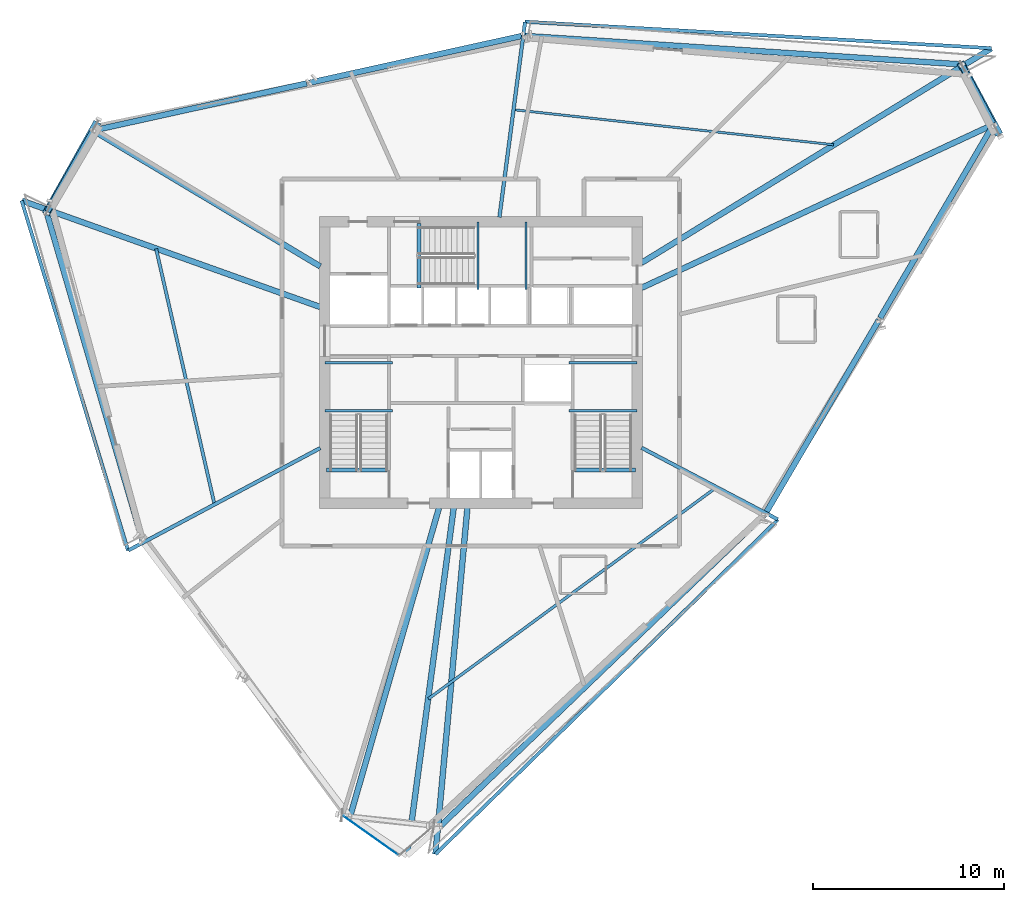
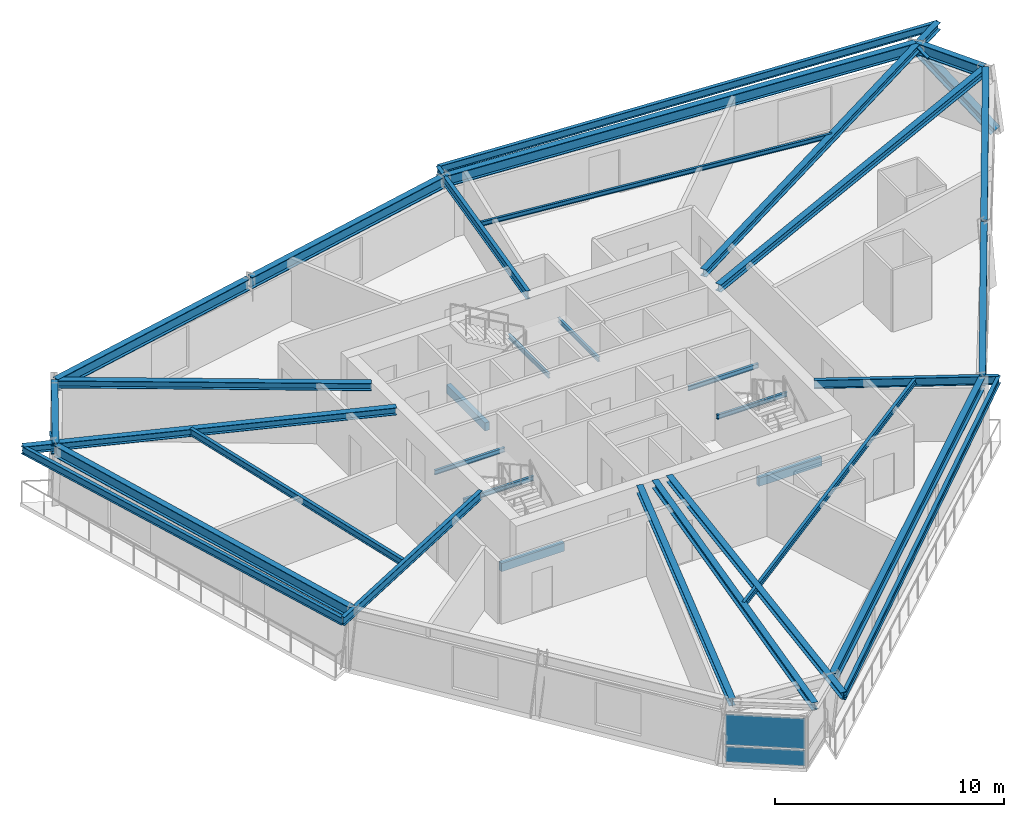
# One storey, part 5 of 15: 34 beams, 2 members, 2 plates, 1 element without a shape of its own.
"""IFC4 building model written with IfcOpenShell, lengths in metres."""

import ifcopenshell
import ifcopenshell.guid

model = None  # the IFC model being written
_history = None  # IfcOwnerHistory: only IFC2X3 demands one
_inside = {}  # id of a spatial element -> (the spatial element, [elements in it])
_under = {}  # id of a project, library or spatial element -> (it, [spatial elements below it])
_declared = {}  # id of a project -> (the project, [libraries it declares])
_typed = {}  # id of a type object -> (the type object, [elements of that type])
_made_of = {}  # id of a material, layer set ... -> (it, [elements and type objects made of it])


def new_model(schema):
    """Start an empty IFC model of exactly this schema.

    Asked for "IFC4X3", IfcOpenShell would pick the latest addendum, in which some entities
    have other attributes; the version numbers below select the first issue.
    IFC2X3 requires an IfcOwnerHistory on every rooted entity: one is made here for all.
    """
    global model, _history
    if schema == "IFC4X3":
        model = ifcopenshell.file(schema_version=(4, 3, 0, 0))
    else:
        model = ifcopenshell.file(schema=schema)
    _inside.clear()
    _under.clear()
    _declared.clear()
    _typed.clear()
    _made_of.clear()
    _history = None
    if model.schema == "IFC2X3":
        org = make("IfcOrganization", Name="unknown")
        user = make(
            "IfcPersonAndOrganization",
            ThePerson=make("IfcPerson", FamilyName="unknown"),
            TheOrganization=org,
        )
        app = make(
            "IfcApplication",
            ApplicationDeveloper=org,
            Version="unknown",
            ApplicationFullName="unknown",
            ApplicationIdentifier="unknown",
        )
        _history = make(
            "IfcOwnerHistory",
            OwningUser=user,
            OwningApplication=app,
            ChangeAction="ADDED",
            CreationDate=0,
        )
    return model


def make(cls, **values):
    """One entity of the class cls with the attributes given. An attribute that is None is left unset."""
    return model.create_entity(
        cls, **{name: value for name, value in values.items() if value is not None}
    )


def rooted(cls, **values):
    """An entity with a GlobalId (a new one), such as an element, a storey or a relation."""
    return make(cls, GlobalId=ifcopenshell.guid.new(), OwnerHistory=_history, **values)


def si_unit(unit_type, name, prefix=None):
    """IfcSIUnit, for example si_unit("LENGTHUNIT", "METRE", prefix="MILLI")."""
    return make("IfcSIUnit", UnitType=unit_type, Prefix=prefix, Name=name)


def assignment(units):
    """IfcUnitAssignment: the units of a project."""
    return None if units is None else make("IfcUnitAssignment", Units=units)


def point(xyz):
    """IfcCartesianPoint."""
    return None if xyz is None else make("IfcCartesianPoint", Coordinates=xyz)


def direction(xyz):
    """IfcDirection."""
    return None if xyz is None else make("IfcDirection", DirectionRatios=xyz)


def frame(location, z_axis=None, x_axis=None):
    """IfcAxis2Placement3D, a coordinate frame: its origin and axes. An axis left out is left unset."""
    return make(
        "IfcAxis2Placement3D",
        Location=point(location),
        Axis=direction(z_axis),
        RefDirection=direction(x_axis),
    )


def frame_2d(location, x_axis=None):
    """IfcAxis2Placement2D, a coordinate frame in the plane: its origin and x axis."""
    return make(
        "IfcAxis2Placement2D", Location=point(location), RefDirection=direction(x_axis)
    )


def origin():
    """The frame at (0, 0, 0) with its axes left unset."""
    return frame((0.0, 0.0, 0.0))


def origin_2d():
    """The frame at (0, 0) in the plane with its x axis left unset."""
    return frame_2d((0.0, 0.0))


def place(relative_to, where):
    """IfcLocalPlacement: puts the frame where relative to a parent placement (None: the world)."""
    return make(
        "IfcLocalPlacement", PlacementRelTo=relative_to, RelativePlacement=where
    )


def context(
    kind, dimensions, precision=None, world=None, true_north=None, identifier=None
):
    """IfcGeometricRepresentationContext, for example the 3D "Model" context."""
    return make(
        "IfcGeometricRepresentationContext",
        ContextIdentifier=identifier,
        ContextType=kind,
        CoordinateSpaceDimension=dimensions,
        Precision=precision,
        WorldCoordinateSystem=world,
        TrueNorth=true_north,
    )


def subcontext(parent, identifier, kind, view, scale=None):
    """IfcGeometricRepresentationSubContext, for example "Body" below "Model"."""
    return make(
        "IfcGeometricRepresentationSubContext",
        ContextIdentifier=identifier,
        ContextType=kind,
        ParentContext=parent,
        TargetScale=scale,
        TargetView=view,
    )


def project(units=None, contexts=None):
    """IfcProject with its units and contexts."""
    return rooted(
        "IfcProject",
        Name="project",
        RepresentationContexts=contexts,
        UnitsInContext=assignment(units),
    )


def spatial(cls, under=None, at=None, **own):
    """A site, building, storey or space (cls), placed at a placement, below another one or the project."""
    s = rooted(cls, ObjectPlacement=at, **own)
    if under is not None:
        _under.setdefault(under.id(), (under, []))[1].append(s)
    return s


def profile(cls, at=None, kind="AREA", **sizes):
    """A parametric profile (cls). Its sizes go by their IFC names, for example OverallWidth=200.0."""
    return make(cls, ProfileType=kind, Position=at, **sizes)


def rectangle(**sizes):
    """IfcRectangleProfileDef."""
    return profile("IfcRectangleProfileDef", **sizes)


def i_section(**sizes):
    """IfcIShapeProfileDef."""
    return profile("IfcIShapeProfileDef", **sizes)


def extrude(swept, where, along, depth):
    """IfcExtrudedAreaSolid: the profile swept, set in the frame where, extruded along a direction by depth."""
    return make(
        "IfcExtrudedAreaSolid",
        SweptArea=swept,
        Position=where,
        ExtrudedDirection=direction(along),
        Depth=depth,
    )


def shape(context_of_items, identifier, shape_type, items):
    """IfcShapeRepresentation: the items that make up one representation, for example the "Body"."""
    return make(
        "IfcShapeRepresentation",
        ContextOfItems=context_of_items,
        RepresentationIdentifier=identifier,
        RepresentationType=shape_type,
        Items=items,
    )


def source(mapping_origin, context_of_items, identifier, shape_type, items):
    """IfcRepresentationMap: a shape defined once, which mapped items show again and again."""
    return make(
        "IfcRepresentationMap",
        MappingOrigin=mapping_origin,
        MappedRepresentation=shape(context_of_items, identifier, shape_type, items),
    )


def transform(
    local_origin,
    x_axis=None,
    y_axis=None,
    z_axis=None,
    scale=None,
    scale2=None,
    scale3=None,
    uniform=True,
):
    """IfcCartesianTransformationOperator3D, or its non-uniform kind. x_axis, y_axis, z_axis: its Axis1, 2, 3."""
    if uniform:
        return make(
            "IfcCartesianTransformationOperator3D",
            Axis1=direction(x_axis),
            Axis2=direction(y_axis),
            LocalOrigin=point(local_origin),
            Scale=scale,
            Axis3=direction(z_axis),
        )
    return make(
        "IfcCartesianTransformationOperator3DnonUniform",
        Axis1=direction(x_axis),
        Axis2=direction(y_axis),
        LocalOrigin=point(local_origin),
        Scale=scale,
        Axis3=direction(z_axis),
        Scale2=scale2,
        Scale3=scale3,
    )


def mapped(mapping_source, mapping_target):
    """IfcMappedItem: shows the shape of a source again, moved by a transform."""
    return make(
        "IfcMappedItem", MappingSource=mapping_source, MappingTarget=mapping_target
    )


def material(Name=None, Category=None):
    """IfcMaterial."""
    return make("IfcMaterial", Name=Name, Category=Category)


def material_profile(
    of_material, cross_section, Name=None, Category=None, Priority=None
):
    """IfcMaterialProfile: a cross section and its material."""
    return make(
        "IfcMaterialProfile",
        Name=Name,
        Material=of_material,
        Profile=cross_section,
        Priority=Priority,
        Category=Category,
    )


def profile_set(profiles, Name=None, composite=None):
    """IfcMaterialProfileSet."""
    return make(
        "IfcMaterialProfileSet",
        Name=Name,
        MaterialProfiles=profiles,
        CompositeProfile=composite,
    )


def made_of(thing, what):
    """Note that an element or type object is made of a material, layer set ...; save() writes the relation."""
    if what is not None:
        _made_of.setdefault(what.id(), (what, []))[1].append(thing)
    return thing


def type_object(cls, material=None, **own):
    """A type object (cls), such as IfcWallType, which elements share."""
    return made_of(rooted(cls, **own), material)


def element(
    cls,
    number,
    at=None,
    inside=None,
    cuts=None,
    type_object=None,
    material=None,
    context=None,
    identifier="Body",
    shape_type=None,
    held_by="IfcProductDefinitionShape",
    body=None,
    shapes=None,
    **own,
):
    """One element of the class cls, such as IfcWall. Its Tag is "e" and its number.

    at: its placement. inside: the storey or other place that contains it. cuts: it is an
    opening in that element (IfcRelVoidsElement). A single representation is given by context,
    identifier, shape_type and body (its items); several are given by shapes. held_by: the class
    of the entity that holds the representations. save() writes the other relations.
    """
    e = rooted(cls, Tag="e%d" % number, ObjectPlacement=at, **own)
    if body is not None:
        shapes = [shape(context, identifier, shape_type, body)]
    if shapes is not None:
        e.Representation = make(held_by, Representations=shapes)
    if inside is not None:
        _inside.setdefault(inside.id(), (inside, []))[1].append(e)
    if cuts is not None:
        rooted(
            "IfcRelVoidsElement", RelatingBuildingElement=cuts, RelatedOpeningElement=e
        )
    if type_object is not None:
        _typed.setdefault(type_object.id(), (type_object, []))[1].append(e)
    return made_of(e, material)


def aggregate(whole, parts):
    """IfcRelAggregates: a whole, such as a stair, and the parts it consists of."""
    return rooted("IfcRelAggregates", RelatingObject=whole, RelatedObjects=parts)


def save(model, path):
    """Write the relations noted so far, then the file.

    IfcRelAggregates (storeys below a building ...), IfcRelContainedInSpatialStructure (elements
    in a storey), IfcRelDefinesByType, IfcRelAssociatesMaterial and IfcRelDeclares: one each for
    every whole, place, type object, material and project.
    """
    for whole, parts in _under.values():
        aggregate(whole, parts)
    for where, things in _inside.values():
        rooted(
            "IfcRelContainedInSpatialStructure",
            RelatedElements=things,
            RelatingStructure=where,
        )
    for kind, things in _typed.values():
        rooted("IfcRelDefinesByType", RelatedObjects=things, RelatingType=kind)
    for what, things in _made_of.values():
        rooted("IfcRelAssociatesMaterial", RelatedObjects=things, RelatingMaterial=what)
    for by, libraries in _declared.values():
        rooted("IfcRelDeclares", RelatingContext=by, RelatedDefinitions=libraries)
    model.write(path)


model = new_model("IFC4")

# Units and contexts
model_context = context("Model", 3, precision=1e-05, world=origin(), true_north=direction((0.0, 1.0)))
body_context = subcontext(model_context, "Body", "Model", "MODEL_VIEW")
ifc_project = project(units=[si_unit("LENGTHUNIT", "METRE"), si_unit("AREAUNIT", "SQUARE_METRE"), si_unit("VOLUMEUNIT", "CUBIC_METRE"), si_unit("PLANEANGLEUNIT", "RADIAN"), si_unit("MASSUNIT", "GRAM", prefix="KILO")], contexts=[model_context])

# Site, building, storey
site_placement = place(None, origin())
site = spatial("IfcSite", under=ifc_project, at=site_placement, CompositionType="ELEMENT")
building_placement = place(site_placement, origin())
building = spatial("IfcBuilding", under=site, at=building_placement, Name="Olszyna Solenne Hotel", CompositionType="ELEMENT")
storey_placement = place(building_placement, frame((0.0, 0.0, 146.60009765625)))
storey = spatial("IfcBuildingStorey", under=building, at=storey_placement, Name="L38", CompositionType="ELEMENT", Elevation=146.60009765625)

# Beams
ifc_material_1 = material(Name="Steel S355J2", Category="steel")
ifc_material_profile_1 = material_profile(ifc_material_1, i_section(OverallWidth=0.300048828125, OverallDepth=0.60009765625, WebThickness=0.015380859375, FlangeThickness=0.030029296875, at=origin_2d()), Name="HEB 600", Category="load-bearing")
ifc_profile_set_1 = profile_set([ifc_material_profile_1], Name="Steel S355J2")
beam_type_1 = type_object("IfcBeamType", Name="BM-S2", PredefinedType="BEAM", material=ifc_profile_set_1)
shared_shape_1 = source(origin(), body_context, "Body", "SweptSolid", [
    extrude(i_section(OverallWidth=0.300048828125, OverallDepth=0.60009765625, WebThickness=0.015380859375, FlangeThickness=0.030029296875, at=origin_2d()), origin(), (0.0, 0.0, 1.0), 3.43896484375),
])
beam_1_placement = place(storey_placement, frame((64.794921875, 39.10888671875, 3.0), z_axis=(-0.470263940481, 0.882525821879, 0.0), x_axis=(-0.882525821879, -0.470263940481, 0.0)))
element("IfcBeam", 1, at=beam_1_placement, inside=storey, type_object=beam_type_1, Name="Perimeter spandrel beam BM-S2 B-L38-1126", PredefinedType="BEAM", context=body_context, shape_type="MappedRepresentation", body=[
    mapped(shared_shape_1, transform((0.0, 0.0, 0.0), x_axis=(1.0, 0.0, 0.0), y_axis=(0.0, 1.0, 0.0), z_axis=(0.0, 0.0, 1.0), scale=1.0)),
])
shared_shape_2 = source(origin(), body_context, "Body", "SweptSolid", [
    extrude(i_section(OverallWidth=0.300048828125, OverallDepth=0.60009765625, WebThickness=0.015380859375, FlangeThickness=0.030029296875, at=origin_2d()), origin(), (0.0, 0.0, 1.0), 22.8935546875),
])
beam_2_placement = place(storey_placement, frame((63.089599609375, 42.20068359375, 3.0), z_axis=(-0.99788051244, 0.065072904437, 0.0), x_axis=(-0.065072904437, -0.99788051244, 0.0)))
element("IfcBeam", 2, at=beam_2_placement, inside=storey, type_object=beam_type_1, Name="Perimeter spandrel beam BM-S2 B-L38-1127", PredefinedType="BEAM", context=body_context, shape_type="MappedRepresentation", body=[
    mapped(shared_shape_2, transform((0.0, 0.0, 0.0), x_axis=(1.0, 0.0, 0.0), y_axis=(0.0, 1.0, 0.0), z_axis=(0.0, 0.0, 1.0), scale=1.0)),
])
shared_shape_3 = source(origin(), body_context, "Body", "SweptSolid", [
    extrude(i_section(OverallWidth=0.300048828125, OverallDepth=0.60009765625, WebThickness=0.015380859375, FlangeThickness=0.030029296875, at=origin_2d()), origin(), (0.0, 0.0, 1.0), 11.386962890625),
])
beam_3_placement = place(storey_placement, frame((40.126220703125, 43.681396484375, 3.0), z_axis=(-0.976532394897, -0.215370568365, 0.0), x_axis=(0.215370568365, -0.976532394897, 0.0)))
element("IfcBeam", 3, at=beam_3_placement, inside=storey, type_object=beam_type_1, Name="Perimeter spandrel beam BM-S2 B-L38-1128", PredefinedType="BEAM", context=body_context, shape_type="MappedRepresentation", body=[
    mapped(shared_shape_3, transform((0.0, 0.0, 0.0), x_axis=(1.0, 0.0, 0.0), y_axis=(0.0, 1.0, 0.0), z_axis=(0.0, 0.0, 1.0), scale=1.0)),
])
shared_shape_4 = source(origin(), body_context, "Body", "SweptSolid", [
    extrude(i_section(OverallWidth=0.300048828125, OverallDepth=0.60009765625, WebThickness=0.015380859375, FlangeThickness=0.030029296875, at=origin_2d()), origin(), (0.0, 0.0, 1.0), 11.38671875),
])
beam_4_placement = place(storey_placement, frame((28.889404296875, 41.203125, 3.0), z_axis=(-0.976526890675, -0.215395524069, 0.0), x_axis=(0.215395524069, -0.976526890675, 0.0)))
element("IfcBeam", 4, at=beam_4_placement, inside=storey, type_object=beam_type_1, Name="Perimeter spandrel beam BM-S2 B-L38-1129", PredefinedType="BEAM", context=body_context, shape_type="MappedRepresentation", body=[
    mapped(shared_shape_4, transform((0.0, 0.0, 0.0), x_axis=(1.0, 0.0, 0.0), y_axis=(0.0, 1.0, 0.0), z_axis=(0.0, 0.0, 1.0), scale=1.0)),
])
shared_shape_5 = source(origin(), body_context, "Body", "SweptSolid", [
    extrude(i_section(OverallWidth=0.300048828125, OverallDepth=0.60009765625, WebThickness=0.015380859375, FlangeThickness=0.030029296875, at=origin_2d()), origin(), (0.0, 0.0, 1.0), 4.812744140625),
])
beam_5_placement = place(storey_placement, frame((17.681884765625, 38.685302734375, 3.0), z_axis=(-0.4924249606, -0.870354903576, 0.0), x_axis=(0.870354903576, -0.4924249606, 0.0)))
element("IfcBeam", 5, at=beam_5_placement, inside=storey, type_object=beam_type_1, Name="Perimeter spandrel beam BM-S2 B-L38-1130", PredefinedType="BEAM", context=body_context, shape_type="MappedRepresentation", body=[
    mapped(shared_shape_5, transform((0.0, 0.0, 0.0), x_axis=(1.0, 0.0, 0.0), y_axis=(0.0, 1.0, 0.0), z_axis=(0.0, 0.0, 1.0), scale=1.0)),
])
shared_shape_6 = source(origin(), body_context, "Body", "SweptSolid", [
    extrude(i_section(OverallWidth=0.300048828125, OverallDepth=0.60009765625, WebThickness=0.015380859375, FlangeThickness=0.030029296875, at=origin_2d()), origin(), (0.0, 0.0, 1.0), 17.86376953125),
])
beam_6_placement = place(storey_placement, frame((15.29931640625, 34.38671875, 3.0), z_axis=(0.280400400042, -0.95988312604, 0.0), x_axis=(0.95988312604, 0.280400400042, 0.0)))
element("IfcBeam", 6, at=beam_6_placement, inside=storey, type_object=beam_type_1, Name="Perimeter spandrel beam BM-S2 B-L38-1131", PredefinedType="BEAM", context=body_context, shape_type="MappedRepresentation", body=[
    mapped(shared_shape_6, transform((0.0, 0.0, 0.0), x_axis=(1.0, 0.0, 0.0), y_axis=(0.0, 1.0, 0.0), z_axis=(0.0, 0.0, 1.0), scale=1.0)),
])
shared_shape_7 = source(origin(), body_context, "Body", "SweptSolid", [
    extrude(i_section(OverallWidth=0.300048828125, OverallDepth=0.60009765625, WebThickness=0.015380859375, FlangeThickness=0.030029296875, at=origin_2d()), origin(), (0.0, 0.0, 1.0), 23.47802734375),
])
beam_7_placement = place(storey_placement, frame((35.923583984375, 2.384033203125, 3.0), z_axis=(0.720954745376, 0.692982146321, 0.0), x_axis=(-0.692982146321, 0.720954745376, 0.0)))
element("IfcBeam", 7, at=beam_7_placement, inside=storey, type_object=beam_type_1, Name="Perimeter spandrel beam BM-S2 B-L38-1135", PredefinedType="BEAM", context=body_context, shape_type="MappedRepresentation", body=[
    mapped(shared_shape_7, transform((0.0, 0.0, 0.0), x_axis=(1.0, 0.0, 0.0), y_axis=(0.0, 1.0, 0.0), z_axis=(0.0, 0.0, 1.0), scale=1.0)),
])
shared_shape_8 = source(origin(), body_context, "Body", "SweptSolid", [
    extrude(i_section(OverallWidth=0.300048828125, OverallDepth=0.60009765625, WebThickness=0.015380859375, FlangeThickness=0.030029296875, at=origin_2d()), origin(), (0.0, 0.0, 1.0), 11.678955078125),
])
for number, where, z_axis, x_axis, name in (
    (8, (52.923583984375, 18.747314453125, 3.0), (0.505546743332, 0.862799217841, 0.0), (-0.862799217841, 0.505546743332, 0.0), "Perimeter spandrel beam BM-S2 B-L38-1136"),
    (9, (58.888671875, 28.927490234375, 3.0), (0.505546743332, 0.862799217841, 0.0), (-0.862799217841, 0.505546743332, 0.0), "Perimeter spandrel beam BM-S2 B-L38-1137"),
):
    element("IfcBeam", number, at=place(storey_placement, frame(where, z_axis=z_axis, x_axis=x_axis)), inside=storey, type_object=beam_type_1, Name=name, PredefinedType="BEAM", context=body_context, shape_type="MappedRepresentation", body=[
        mapped(shared_shape_8, transform((0.0, 0.0, 0.0), x_axis=(1.0, 0.0, 0.0), y_axis=(0.0, 1.0, 0.0), z_axis=(0.0, 0.0, 1.0), scale=1.0)),
    ])
ifc_material_profile_2 = material_profile(ifc_material_1, i_section(OverallWidth=0.300048828125, OverallDepth=0.389892578125, WebThickness=0.010986328125, FlangeThickness=0.01904296875, at=origin_2d()), Name="HEA 400", Category="load-bearing")
ifc_profile_set_2 = profile_set([ifc_material_profile_2], Name="Steel S355J2")
beam_type_2 = type_object("IfcBeamType", Name="BM-G2", PredefinedType="BEAM", material=ifc_profile_set_2)
shared_shape_9 = source(origin(), body_context, "Body", "SweptSolid", [
    extrude(i_section(OverallWidth=0.300048828125, OverallDepth=0.389892578125, WebThickness=0.010986328125, FlangeThickness=0.01904296875, at=origin_2d()), origin(), (0.0, 0.0, 1.0), 20.24755859375),
])
beam_8_placement = place(storey_placement, frame((64.768798828125, 39.03076171875, 3.10498046875), z_axis=(-0.90697722008, -0.421179679302, 0.0), x_axis=(0.421179679302, -0.90697722008, 0.0)))
element("IfcBeam", 10, at=beam_8_placement, inside=storey, type_object=beam_type_2, Name="Radial floor girder BM-G2 B-L38-1138", PredefinedType="BEAM", context=body_context, shape_type="MappedRepresentation", body=[
    mapped(shared_shape_9, transform((0.0, 0.0, 0.0), x_axis=(1.0, 0.0, 0.0), y_axis=(0.0, 1.0, 0.0), z_axis=(0.0, 0.0, 1.0), scale=1.0)),
])
shared_shape_10 = source(origin(), body_context, "Body", "SweptSolid", [
    extrude(i_section(OverallWidth=0.300048828125, OverallDepth=0.389892578125, WebThickness=0.010986328125, FlangeThickness=0.01904296875, at=origin_2d()), origin(), (0.0, 0.0, 1.0), 21.4580078125),
])
beam_9_placement = place(storey_placement, frame((64.7001953125, 43.03125, 3.10498046875), z_axis=(-0.852484641568, -0.522752270096, 0.0), x_axis=(0.522752270096, -0.852484641568, 0.0)))
element("IfcBeam", 11, at=beam_9_placement, inside=storey, type_object=beam_type_2, Name="Radial floor girder BM-G2 B-L38-1139", PredefinedType="BEAM", context=body_context, shape_type="MappedRepresentation", body=[
    mapped(shared_shape_10, transform((0.0, 0.0, 0.0), x_axis=(1.0, 0.0, 0.0), y_axis=(0.0, 1.0, 0.0), z_axis=(0.0, 0.0, 1.0), scale=1.0)),
])
ifc_material_profile_3 = material_profile(ifc_material_1, i_section(OverallWidth=0.18994140625, OverallDepth=0.449951171875, WebThickness=0.009521484375, FlangeThickness=0.0146484375, at=origin_2d()), Name="IPE 450", Category="load-bearing")
ifc_profile_set_3 = profile_set([ifc_material_profile_3], Name="Steel S355J2")
beam_type_3 = type_object("IfcBeamType", Name="BM-F4", PredefinedType="BEAM", material=ifc_profile_set_3)
shared_shape_11 = source(origin(), body_context, "Body", "SweptSolid", [
    extrude(i_section(OverallWidth=0.18994140625, OverallDepth=0.449951171875, WebThickness=0.009521484375, FlangeThickness=0.0146484375, at=origin_2d()), origin(), (0.0, 0.0, 1.0), 10.297119140625),
])
beam_10_placement = place(storey_placement, frame((40.31103515625, 44.409912109375, 3.074951171875), z_axis=(-0.130119629796, -0.991498301532, 0.0), x_axis=(0.991498301532, -0.130119629796, 0.0)))
element("IfcBeam", 12, at=beam_10_placement, inside=storey, type_object=beam_type_3, Name="Radial floor girder BM-F4 B-L38-1140", PredefinedType="BEAM", context=body_context, shape_type="MappedRepresentation", body=[
    mapped(shared_shape_11, transform((0.0, 0.0, 0.0), x_axis=(1.0, 0.0, 0.0), y_axis=(0.0, 1.0, 0.0), z_axis=(0.0, 0.0, 1.0), scale=1.0)),
])
shared_shape_12 = source(origin(), body_context, "Body", "SweptSolid", [
    extrude(i_section(OverallWidth=0.300048828125, OverallDepth=0.389892578125, WebThickness=0.010986328125, FlangeThickness=0.01904296875, at=origin_2d()), origin(), (0.0, 0.0, 1.0), 13.78564453125),
])
beam_11_placement = place(storey_placement, frame((17.7626953125, 38.706787109375, 3.10498046875), z_axis=(0.858157883537, -0.513385865527, 0.0), x_axis=(0.513385865527, 0.858157883537, 0.0)))
element("IfcBeam", 13, at=beam_11_placement, inside=storey, type_object=beam_type_2, Name="Radial floor girder BM-G2 B-L38-1141", PredefinedType="BEAM", context=body_context, shape_type="MappedRepresentation", body=[
    mapped(shared_shape_12, transform((0.0, 0.0, 0.0), x_axis=(1.0, 0.0, 0.0), y_axis=(0.0, 1.0, 0.0), z_axis=(0.0, 0.0, 1.0), scale=1.0)),
])
shared_shape_13 = source(origin(), body_context, "Body", "SweptSolid", [
    extrude(i_section(OverallWidth=0.300048828125, OverallDepth=0.389892578125, WebThickness=0.010986328125, FlangeThickness=0.01904296875, at=origin_2d()), origin(), (0.0, 0.0, 1.0), 16.567626953125),
])
beam_12_placement = place(storey_placement, frame((13.991455078125, 35.063720703125, 3.10498046875), z_axis=(0.941957757139, -0.335731416115, 0.0), x_axis=(0.335731416115, 0.941957757139, 0.0)))
element("IfcBeam", 14, at=beam_12_placement, inside=storey, type_object=beam_type_2, Name="Radial floor girder BM-G2 B-L38-1142", PredefinedType="BEAM", context=body_context, shape_type="MappedRepresentation", body=[
    mapped(shared_shape_13, transform((0.0, 0.0, 0.0), x_axis=(1.0, 0.0, 0.0), y_axis=(0.0, 1.0, 0.0), z_axis=(0.0, 0.0, 1.0), scale=1.0)),
])
shared_shape_14 = source(origin(), body_context, "Body", "SweptSolid", [
    extrude(i_section(OverallWidth=0.18994140625, OverallDepth=0.449951171875, WebThickness=0.009521484375, FlangeThickness=0.0146484375, at=origin_2d()), origin(), (0.0, 0.0, 1.0), 11.373046875),
])
beam_13_placement = place(storey_placement, frame((19.558837890625, 16.768798828125, 3.074951171875), z_axis=(0.882354129624, 0.470586006949, 0.0), x_axis=(-0.470586006949, 0.882354129624, 0.0)))
element("IfcBeam", 15, at=beam_13_placement, inside=storey, type_object=beam_type_3, Name="Radial floor girder BM-F4 B-L38-1143", PredefinedType="BEAM", context=body_context, shape_type="MappedRepresentation", body=[
    mapped(shared_shape_14, transform((0.0, 0.0, 0.0), x_axis=(1.0, 0.0, 0.0), y_axis=(0.0, 1.0, 0.0), z_axis=(0.0, 0.0, 1.0), scale=1.0)),
])
shared_shape_15 = source(origin(), body_context, "Body", "SweptSolid", [
    extrude(i_section(OverallWidth=0.300048828125, OverallDepth=0.389892578125, WebThickness=0.010986328125, FlangeThickness=0.01904296875, at=origin_2d()), origin(), (0.0, 0.0, 1.0), 16.772705078125),
])
beam_14_placement = place(storey_placement, frame((31.169677734375, 2.88037109375, 3.10498046875), z_axis=(0.276721828971, 0.960950066013, 0.0), x_axis=(-0.960950066013, 0.276721828971, 0.0)))
element("IfcBeam", 16, at=beam_14_placement, inside=storey, type_object=beam_type_2, Name="Radial floor girder BM-G2 B-L38-1144", PredefinedType="BEAM", context=body_context, shape_type="MappedRepresentation", body=[
    mapped(shared_shape_15, transform((0.0, 0.0, 0.0), x_axis=(1.0, 0.0, 0.0), y_axis=(0.0, 1.0, 0.0), z_axis=(0.0, 0.0, 1.0), scale=1.0)),
])
shared_shape_16 = source(origin(), body_context, "Body", "SweptSolid", [
    extrude(i_section(OverallWidth=0.300048828125, OverallDepth=0.389892578125, WebThickness=0.010986328125, FlangeThickness=0.01904296875, at=origin_2d()), origin(), (0.0, 0.0, 1.0), 18.342041015625),
])
beam_15_placement = place(storey_placement, frame((34.1435546875, 0.81982421875, 3.10498046875), z_axis=(0.132890814792, 0.991130683282, 0.0), x_axis=(-0.991130683282, 0.132890814792, 0.0)))
element("IfcBeam", 17, at=beam_15_placement, inside=storey, type_object=beam_type_2, Name="Radial floor girder BM-G2 B-L38-1145", PredefinedType="BEAM", context=body_context, shape_type="MappedRepresentation", body=[
    mapped(shared_shape_16, transform((0.0, 0.0, 0.0), x_axis=(1.0, 0.0, 0.0), y_axis=(0.0, 1.0, 0.0), z_axis=(0.0, 0.0, 1.0), scale=1.0)),
])
shared_shape_17 = source(origin(), body_context, "Body", "SweptSolid", [
    extrude(i_section(OverallWidth=0.18994140625, OverallDepth=0.449951171875, WebThickness=0.009521484375, FlangeThickness=0.0146484375, at=origin_2d()), origin(), (0.0, 0.0, 1.0), 8.050048828125),
])
beam_16_placement = place(storey_placement, frame((53.53076171875, 18.391845703125, 3.074951171875), z_axis=(-0.885080661303, 0.465437668209, 0.0), x_axis=(-0.465437668209, -0.885080661303, 0.0)))
element("IfcBeam", 18, at=beam_16_placement, inside=storey, type_object=beam_type_3, Name="Radial floor girder BM-F4 B-L38-1146", PredefinedType="BEAM", context=body_context, shape_type="MappedRepresentation", body=[
    mapped(shared_shape_17, transform((0.0, 0.0, 0.0), x_axis=(1.0, 0.0, 0.0), y_axis=(0.0, 1.0, 0.0), z_axis=(0.0, 0.0, 1.0), scale=1.0)),
])
ifc_material_profile_4 = material_profile(ifc_material_1, i_section(OverallWidth=0.300048828125, OverallDepth=0.31005859375, WebThickness=0.009033203125, FlangeThickness=0.015380859375, at=origin_2d()), Name="HEA 320", Category="load-bearing")
ifc_profile_set_4 = profile_set([ifc_material_profile_4], Name="Steel S355J2")
beam_type_4 = type_object("IfcBeamType", Name="BM-G3", PredefinedType="BEAM", material=ifc_profile_set_4)
shared_shape_18 = source(origin(), body_context, "Body", "SweptSolid", [
    extrude(i_section(OverallWidth=0.300048828125, OverallDepth=0.31005859375, WebThickness=0.009033203125, FlangeThickness=0.015380859375, at=origin_2d()), origin(), (0.0, 0.0, 1.0), 18.205078125),
])
beam_17_placement = place(storey_placement, frame((35.622314453125, 0.871826171875, 3.14501953125), z_axis=(0.092022892187, 0.995756891673, 0.0), x_axis=(-0.995756891673, 0.092022892187, 0.0)))
element("IfcBeam", 19, at=beam_17_placement, inside=storey, type_object=beam_type_4, Name="Loggia/prism radial back-span girder BM-G3 B-L38-1149", PredefinedType="BEAM", context=body_context, shape_type="MappedRepresentation", body=[
    mapped(shared_shape_18, transform((0.0, 0.0, 0.0), x_axis=(1.0, 0.0, 0.0), y_axis=(0.0, 1.0, 0.0), z_axis=(0.0, 0.0, 1.0), scale=1.0)),
])
ifc_material_profile_5 = material_profile(ifc_material_1, i_section(OverallWidth=0.1201171875, OverallDepth=0.239990234375, WebThickness=0.006103515625, FlangeThickness=0.009765625, at=origin_2d()), Name="IPE 240", Category="load-bearing")
ifc_profile_set_5 = profile_set([ifc_material_profile_5], Name="Steel S355J2")
beam_type_5 = type_object("IfcBeamType", Name="JS-03", PredefinedType="JOIST", material=ifc_profile_set_5)
shared_shape_19 = source(origin(), body_context, "Body", "SweptSolid", [
    extrude(i_section(OverallWidth=0.1201171875, OverallDepth=0.239990234375, WebThickness=0.006103515625, FlangeThickness=0.009765625, at=origin_2d()), origin(), (0.0, 0.0, 1.0), 16.82861328125),
])
beam_18_placement = place(storey_placement, frame((56.4580078125, 37.991455078125, 3.179931640625), z_axis=(-0.994050308641, 0.108921916481, 0.0), x_axis=(-0.108921916481, -0.994050308641, 0.0)))
element("IfcBeam", 20, at=beam_18_placement, inside=storey, type_object=beam_type_5, Name="Secondary composite floor joist JS-03 B-L38-1150", PredefinedType="JOIST", context=body_context, shape_type="MappedRepresentation", body=[
    mapped(shared_shape_19, transform((0.0, 0.0, 0.0), x_axis=(1.0, 0.0, 0.0), y_axis=(0.0, 1.0, 0.0), z_axis=(0.0, 0.0, 1.0), scale=1.0)),
])
ifc_material_profile_6 = material_profile(ifc_material_1, i_section(OverallWidth=0.169921875, OverallDepth=0.360107421875, WebThickness=0.008056640625, FlangeThickness=0.0126953125, at=origin_2d()), Name="IPE 360", Category="load-bearing")
ifc_profile_set_6 = profile_set([ifc_material_profile_6], Name="Steel S355J2")
beam_type_6 = type_object("IfcBeamType", Name="JS-01", PredefinedType="JOIST", material=ifc_profile_set_6)
shared_shape_20 = source(origin(), body_context, "Body", "SweptSolid", [
    extrude(i_section(OverallWidth=0.169921875, OverallDepth=0.360107421875, WebThickness=0.008056640625, FlangeThickness=0.0126953125, at=origin_2d()), origin(), (0.0, 0.0, 1.0), 13.697998046875),
])
beam_19_placement = place(storey_placement, frame((21.00830078125, 32.544921875, 3.119873046875), z_axis=(0.222825769403, -0.974858285337, 0.0), x_axis=(0.974858285337, 0.222825769403, 0.0)))
element("IfcBeam", 21, at=beam_19_placement, inside=storey, type_object=beam_type_6, Name="Secondary composite floor joist JS-01 B-L38-1151", PredefinedType="JOIST", context=body_context, shape_type="MappedRepresentation", body=[
    mapped(shared_shape_20, transform((0.0, 0.0, 0.0), x_axis=(1.0, 0.0, 0.0), y_axis=(0.0, 1.0, 0.0), z_axis=(0.0, 0.0, 1.0), scale=1.0)),
])
ifc_material_profile_7 = material_profile(ifc_material_1, i_section(OverallWidth=0.14990234375, OverallDepth=0.300048828125, WebThickness=0.007080078125, FlangeThickness=0.0107421875, at=origin_2d()), Name="IPE 300", Category="load-bearing")
ifc_profile_set_7 = profile_set([ifc_material_profile_7], Name="Steel S355J2")
beam_type_7 = type_object("IfcBeamType", Name="JS-02", PredefinedType="JOIST", material=ifc_profile_set_7)
shared_shape_21 = source(origin(), body_context, "Body", "SweptSolid", [
    extrude(i_section(OverallWidth=0.14990234375, OverallDepth=0.300048828125, WebThickness=0.007080078125, FlangeThickness=0.0107421875, at=origin_2d()), origin(), (0.0, 0.0, 1.0), 18.687255859375),
])
beam_20_placement = place(storey_placement, frame((35.2548828125, 9.00146484375, 3.14990234375), z_axis=(0.806068019336, 0.591822902736, 0.0), x_axis=(-0.591822902736, 0.806068019336, 0.0)))
element("IfcBeam", 22, at=beam_20_placement, inside=storey, type_object=beam_type_7, Name="Secondary composite floor joist JS-02 B-L38-1152", PredefinedType="JOIST", context=body_context, shape_type="MappedRepresentation", body=[
    mapped(shared_shape_21, transform((0.0, 0.0, 0.0), x_axis=(1.0, 0.0, 0.0), y_axis=(0.0, 1.0, 0.0), z_axis=(0.0, 0.0, 1.0), scale=1.0)),
])
ifc_material_profile_8 = material_profile(ifc_material_1, i_section(OverallWidth=0.179931640625, OverallDepth=0.39990234375, WebThickness=0.008544921875, FlangeThickness=0.013427734375, at=origin_2d()), Name="IPE 400", Category="load-bearing")
ifc_profile_set_8 = profile_set([ifc_material_profile_8], Name="Steel S355J2")
beam_type_8 = type_object("IfcBeamType", Name="BM-F5", PredefinedType="BEAM", material=ifc_profile_set_8)
shared_shape_22 = source(origin(), body_context, "Body", "SweptSolid", [
    extrude(i_section(OverallWidth=0.179931640625, OverallDepth=0.39990234375, WebThickness=0.008544921875, FlangeThickness=0.013427734375, at=origin_2d()), origin(), (0.0, 0.0, 1.0), 24.443115234375),
])
beam_21_placement = place(storey_placement, frame((64.71728515625, 43.041748046875, 3.099853515625), z_axis=(-0.99838656132, 0.056782692569, 0.0), x_axis=(-0.056782692569, -0.99838656132, 0.0)))
element("IfcBeam", 23, at=beam_21_placement, inside=storey, type_object=beam_type_8, Name="Loggia outer edge beam BM-F5 B-L38-1153", PredefinedType="BEAM", context=body_context, shape_type="MappedRepresentation", body=[
    mapped(shared_shape_22, transform((0.0, 0.0, 0.0), x_axis=(1.0, 0.0, 0.0), y_axis=(0.0, 1.0, 0.0), z_axis=(0.0, 0.0, 1.0), scale=1.0)),
])
shared_shape_23 = source(origin(), body_context, "Body", "SweptSolid", [
    extrude(i_section(OverallWidth=0.179931640625, OverallDepth=0.39990234375, WebThickness=0.008544921875, FlangeThickness=0.013427734375, at=origin_2d()), origin(), (0.0, 0.0, 1.0), 19.13916015625),
])
beam_22_placement = place(storey_placement, frame((13.97265625, 35.0703125, 3.099853515625), z_axis=(0.29095501675, -0.956736734022, 0.0), x_axis=(0.956736734022, 0.29095501675, 0.0)))
element("IfcBeam", 24, at=beam_22_placement, inside=storey, type_object=beam_type_8, Name="Loggia outer edge beam BM-F5 B-L38-1154", PredefinedType="BEAM", context=body_context, shape_type="MappedRepresentation", body=[
    mapped(shared_shape_23, transform((0.0, 0.0, 0.0), x_axis=(1.0, 0.0, 0.0), y_axis=(0.0, 1.0, 0.0), z_axis=(0.0, 0.0, 1.0), scale=1.0)),
])
shared_shape_24 = source(origin(), body_context, "Body", "SweptSolid", [
    extrude(i_section(OverallWidth=0.179931640625, OverallDepth=0.39990234375, WebThickness=0.008544921875, FlangeThickness=0.013427734375, at=origin_2d()), origin(), (0.0, 0.0, 1.0), 25.059326171875),
])
beam_23_placement = place(storey_placement, frame((35.622314453125, 0.871826171875, 3.099853515625), z_axis=(0.71534424091, 0.698772221111, 0.0), x_axis=(-0.698772221111, 0.71534424091, 0.0)))
element("IfcBeam", 25, at=beam_23_placement, inside=storey, type_object=beam_type_8, Name="Loggia outer edge beam BM-F5 B-L38-1155", PredefinedType="BEAM", context=body_context, shape_type="MappedRepresentation", body=[
    mapped(shared_shape_24, transform((0.0, 0.0, 0.0), x_axis=(1.0, 0.0, 0.0), y_axis=(0.0, 1.0, 0.0), z_axis=(0.0, 0.0, 1.0), scale=1.0)),
])

# Members
ifc_material_2 = material(Name="Steel S460M", Category="steel")
ifc_material_profile_9 = material_profile(ifc_material_2, i_section(OverallWidth=0.406005859375, OverallDepth=0.416015625, WebThickness=0.026611328125, FlangeThickness=0.04150390625, at=origin_2d()), Name="HD 400x382", Category="load-bearing")
ifc_profile_set_9 = profile_set([ifc_material_profile_9], Name="Steel S460M")
member_type = type_object("IfcMemberType", Name="BR-T2", PredefinedType="BRACE", material=ifc_profile_set_9)
shared_shape_25 = source(origin(), body_context, "Body", "SweptSolid", [
    extrude(i_section(OverallWidth=0.406005859375, OverallDepth=0.416015625, WebThickness=0.026611328125, FlangeThickness=0.04150390625, at=origin_2d()), origin(), (0.0, 0.0, 1.0), 5.010009765625),
])
member_1_placement = place(storey_placement, frame((65.0634765625, 38.63671875, 0.010009765625), z_axis=(-0.382056613689, 0.710605808776, 0.590823263311), x_axis=(-0.880769606124, -0.473545035798, 0.0)))
element("IfcMember", 26, at=member_1_placement, inside=storey, type_object=member_type, Name="Perimeter braced-tube diagonal BR-T2 BR-L38-1", PredefinedType="BRACE", context=body_context, shape_type="MappedRepresentation", body=[
    mapped(shared_shape_25, transform((0.0, 0.0, 0.0), x_axis=(1.0, 0.0, 0.0), y_axis=(0.0, 1.0, 0.0), z_axis=(0.0, 0.0, 1.0), scale=1.0)),
])
shared_shape_26 = source(origin(), body_context, "Body", "SweptSolid", [
    extrude(i_section(OverallWidth=0.406005859375, OverallDepth=0.416015625, WebThickness=0.026611328125, FlangeThickness=0.04150390625, at=origin_2d()), origin(), (0.0, 0.0, 1.0), 6.09326171875),
])
member_2_placement = place(storey_placement, frame((17.887939453125, 39.089599609375, 0.010009765625), z_axis=(-0.427562903057, -0.762368977271, 0.485781336019), x_axis=(0.872195513432, -0.489157424914, 0.0)))
element("IfcMember", 27, at=member_2_placement, inside=storey, type_object=member_type, Name="Perimeter braced-tube diagonal BR-T2 BR-L38-2", PredefinedType="BRACE", context=body_context, shape_type="MappedRepresentation", body=[
    mapped(shared_shape_26, transform((0.0, 0.0, 0.0), x_axis=(1.0, 0.0, 0.0), y_axis=(0.0, 1.0, 0.0), z_axis=(0.0, 0.0, 1.0), scale=1.0)),
])

# Beams
shared_shape_27 = source(origin(), body_context, "Body", "SweptSolid", [
    extrude(i_section(OverallWidth=0.1201171875, OverallDepth=0.239990234375, WebThickness=0.006103515625, FlangeThickness=0.009765625, at=origin_2d()), origin(), (0.0, 0.0, 1.0), 3.539794921875),
])
for number, where, z_axis, x_axis, name in (
    (28, (33.3798828125, 24.070068359375, 1.449951171875), (-1.0, 0.0, 0.0), (0.0, -1.0, 0.0), "Stair landing support beam JS-03 SLB-ST1-0081"),
    (29, (33.3798828125, 26.580078125, 1.449951171875), (-1.0, 0.0, 0.0), (0.0, -1.0, 0.0), "Stair landing support beam JS-03 SLB-ST1-0082"),
    (30, (46.159912109375, 24.070068359375, 1.449951171875), (-1.0, 0.0, 0.0), (0.0, -1.0, 0.0), "Stair landing support beam JS-03 SLB-ST2-0321"),
    (31, (46.159912109375, 26.580078125, 1.449951171875), (-1.0, 0.0, 0.0), (0.0, -1.0, 0.0), "Stair landing support beam JS-03 SLB-ST2-0322"),
):
    element("IfcBeam", number, at=place(storey_placement, frame(where, z_axis=z_axis, x_axis=x_axis)), inside=storey, type_object=beam_type_5, Name=name, PredefinedType="JOIST", context=body_context, shape_type="MappedRepresentation", body=[
        mapped(shared_shape_27, transform((0.0, 0.0, 0.0), x_axis=(1.0, 0.0, 0.0), y_axis=(0.0, 1.0, 0.0), z_axis=(0.0, 0.0, 1.0), scale=1.0)),
    ])
ifc_material_3 = material(Name="Concrete C50/60", Category="concrete")
ifc_material_profile_10 = material_profile(ifc_material_3, rectangle(XDim=0.219970703125, YDim=0.43994140625, at=origin_2d()), Name="RC 220x440", Category="load-bearing")
ifc_profile_set_10 = profile_set([ifc_material_profile_10], Name="Concrete C50/60")
beam_type_9 = type_object("IfcBeamType", Name="BM-ST1", PredefinedType="BEAM", material=ifc_profile_set_10)
shared_shape_28 = source(origin(), body_context, "Body", "SweptSolid", [
    extrude(rectangle(XDim=0.219970703125, YDim=0.43994140625, at=origin_2d()), origin(), (0.0, 0.0, 1.0), 3.18017578125),
])
for number, where, z_axis, x_axis, name in (
    (32, (33.10009765625, 20.97998046875, -0.205078125), (-1.0, 0.0, 0.0), (0.0, -1.0, 0.0), "Concrete stair trimmer beam BM-ST1 SHB-ST1-0200"),
    (33, (46.080078125, 20.97998046875, -0.205078125), (-1.0, 0.0, 0.0), (0.0, -1.0, 0.0), "Concrete stair trimmer beam BM-ST1 SHB-ST2-0440"),
):
    element("IfcBeam", number, at=place(storey_placement, frame(where, z_axis=z_axis, x_axis=x_axis)), inside=storey, type_object=beam_type_9, Name=name, PredefinedType="BEAM", context=body_context, shape_type="MappedRepresentation", body=[
        mapped(shared_shape_28, transform((0.0, 0.0, 0.0), x_axis=(1.0, 0.0, 0.0), y_axis=(0.0, 1.0, 0.0), z_axis=(0.0, 0.0, 1.0), scale=1.0)),
    ])
shared_shape_29 = source(origin(), body_context, "Body", "SweptSolid", [
    extrude(i_section(OverallWidth=0.1201171875, OverallDepth=0.239990234375, WebThickness=0.006103515625, FlangeThickness=0.009765625, at=origin_2d()), origin(), (0.0, 0.0, 1.0), 3.5400390625),
])
for number, where, z_axis, x_axis, name in (
    (34, (37.85009765625, 30.419921875, 1.449951171875), (0.0, 1.0, 0.0), (-1.0, 0.0, 0.0), "Stair landing support beam JS-03 SLB-ST3-0561"),
    (35, (40.360107421875, 30.419921875, 1.449951171875), (0.0, 1.0, 0.0), (-1.0, 0.0, 0.0), "Stair landing support beam JS-03 SLB-ST3-0562"),
):
    element("IfcBeam", number, at=place(storey_placement, frame(where, z_axis=z_axis, x_axis=x_axis)), inside=storey, type_object=beam_type_5, Name=name, PredefinedType="JOIST", context=body_context, shape_type="MappedRepresentation", body=[
        mapped(shared_shape_29, transform((0.0, 0.0, 0.0), x_axis=(1.0, 0.0, 0.0), y_axis=(0.0, 1.0, 0.0), z_axis=(0.0, 0.0, 1.0), scale=1.0)),
    ])
shared_shape_30 = source(origin(), body_context, "Body", "SweptSolid", [
    extrude(rectangle(XDim=0.219970703125, YDim=0.43994140625, at=origin_2d()), origin(), (0.0, 0.0, 1.0), 3.3798828125),
])
beam_24_placement = place(storey_placement, frame((34.760009765625, 30.5, -0.205078125), z_axis=(0.0, 1.0, 0.0), x_axis=(-1.0, 0.0, 0.0)))
element("IfcBeam", 36, at=beam_24_placement, inside=storey, type_object=beam_type_9, Name="Concrete stair trimmer beam BM-ST1 SHB-ST3-0678", PredefinedType="BEAM", context=body_context, shape_type="MappedRepresentation", body=[
    mapped(shared_shape_30, transform((0.0, 0.0, 0.0), x_axis=(1.0, 0.0, 0.0), y_axis=(0.0, 1.0, 0.0), z_axis=(0.0, 0.0, 1.0), scale=1.0)),
])

# Curtain wall, plates
ifc_material_4 = material(Name="Anodised bronze aluminium", Category="aluminium")
curtain_wall_type = type_object("IfcCurtainWallType", Name="CW-SYS-5", PredefinedType="NOTDEFINED", material=ifc_material_4)
curtain_wall_placement = place(storey_placement, origin())
curtain_wall = element("IfcCurtainWall", 37, at=curtain_wall_placement, inside=storey, type_object=curtain_wall_type, Name="Unitised curtain wall CW-SYS-5 CW-L38-02", PredefinedType="NOTDEFINED")
ifc_material_5 = material(Name="Low-E triple glazing", Category="glass")
plate_type = type_object("IfcPlateType", Name="PN-PR1", PredefinedType="CURTAIN_PANEL", material=ifc_material_5)
shared_shape_31 = source(origin(), body_context, "Body", "SweptSolid", [
    extrude(rectangle(XDim=3.490234375, YDim=0.028076171875, at=origin_2d()), origin(), (0.0, 0.0, 1.0), 0.83740234375),
])
plate_1_placement = place(storey_placement, frame((32.2314453125, 1.851806640625, 0.074951171875), z_axis=(0.0, 0.0, 1.0), x_axis=(0.816095202143, -0.577917486358, 0.0)))
plate_1 = element("IfcPlate", 38, at=plate_1_placement, type_object=plate_type, Name="Curtain-wall panel PN-PR1 CP-L38-02-01", PredefinedType="CURTAIN_PANEL", context=body_context, shape_type="MappedRepresentation", body=[
    mapped(shared_shape_31, transform((0.0, 0.0, 0.0), x_axis=(1.0, 0.0, 0.0), y_axis=(0.0, 1.0, 0.0), z_axis=(0.0, 0.0, 1.0), scale=1.0)),
])
shared_shape_32 = source(origin(), body_context, "Body", "SweptSolid", [
    extrude(rectangle(XDim=3.490234375, YDim=0.028076171875, at=origin_2d()), origin(), (0.0, 0.0, 1.0), 1.62939453125),
])
plate_2_placement = place(storey_placement, frame((32.2314453125, 1.851806640625, 0.987548828125), z_axis=(0.0, 0.0, 1.0), x_axis=(0.816095202143, -0.577917486358, 0.0)))
plate_2 = element("IfcPlate", 39, at=plate_2_placement, type_object=plate_type, Name="Curtain-wall panel PN-PR1 CP-L38-02-02", PredefinedType="CURTAIN_PANEL", context=body_context, shape_type="MappedRepresentation", body=[
    mapped(shared_shape_32, transform((0.0, 0.0, 0.0), x_axis=(1.0, 0.0, 0.0), y_axis=(0.0, 1.0, 0.0), z_axis=(0.0, 0.0, 1.0), scale=1.0)),
])
aggregate(curtain_wall, [plate_1, plate_2])

save(model, "model.ifc")
